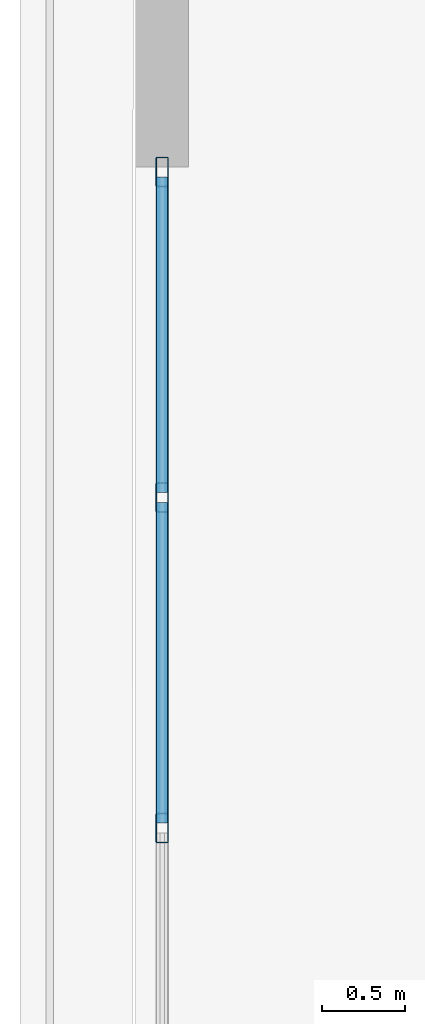
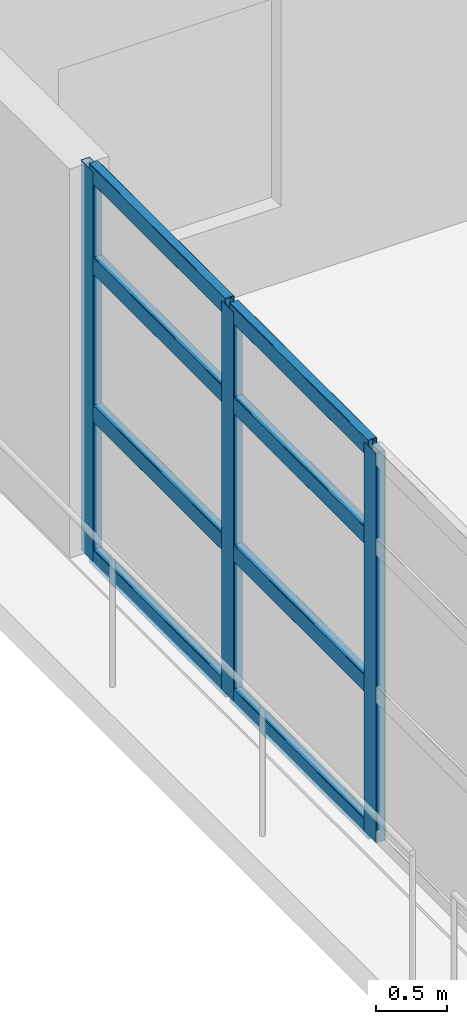
# One storey, part 6 of 23: 11 members, 1 element without a shape of its own.
"""IFC4 building model written with IfcOpenShell, lengths in metres."""

from ifc_helpers import new_model, si_unit, direction, frame, origin, origin_2d, place, context, subcontext, project, spatial, hollow_rectangle, extrude, material, layer, layer_set, material_profile, profile_set, type_object, element, aggregate, save


model = new_model("IFC4")

# Units and contexts
model_context = context("Model", 3, precision=1e-05, world=origin(), true_north=direction((0.0, 1.0)))
body_context = subcontext(model_context, "Body", "Model", "MODEL_VIEW")
ifc_project = project(units=[si_unit("LENGTHUNIT", "METRE"), si_unit("AREAUNIT", "SQUARE_METRE"), si_unit("VOLUMEUNIT", "CUBIC_METRE"), si_unit("PLANEANGLEUNIT", "RADIAN"), si_unit("MASSUNIT", "GRAM", prefix="KILO")], contexts=[model_context])

# Site, building, storey
site_placement = place(None, origin())
site = spatial("IfcSite", under=ifc_project, at=site_placement, CompositionType="ELEMENT")
building_placement = place(site_placement, origin())
building = spatial("IfcBuilding", under=site, at=building_placement, Name="Qingluan Cross Belvedere", CompositionType="ELEMENT")
storey_placement = place(building_placement, frame((0.0, 0.0, 10.199951171875)))
storey = spatial("IfcBuildingStorey", under=building, at=storey_placement, Name="L03", CompositionType="ELEMENT", Elevation=10.199951171875)

# Curtain wall, members
ifc_material_1 = material(Name="Thermally broken aluminium and Low-E glass", Category="aluminium")
ifc_layer = layer(ifc_material_1, 0.219970703125, Name="UnitisedCW_BallroomFoyer")
ifc_layer_set = layer_set([ifc_layer], Name="Thermally broken aluminium and Low-E glass")
curtain_wall_type = type_object("IfcCurtainWallType", Name="UnitisedCW_BallroomFoyer", PredefinedType="USERDEFINED", material=ifc_layer_set)
curtain_wall_placement = place(storey_placement, origin())
curtain_wall = element("IfcCurtainWall", 1, at=curtain_wall_placement, inside=storey, type_object=curtain_wall_type, Name="UnitisedCW_BallroomFoyer run env:cw:L03:W", ObjectType="UNITISED CURTAIN WALL", PredefinedType="USERDEFINED")
ifc_material_2 = material(Name="Aluminium alloy 6063-T6", Category="aluminium")
ifc_material_profile_1 = material_profile(ifc_material_2, hollow_rectangle(XDim=0.074951171875, YDim=0.179931640625, WallThickness=0.00390625, InnerFilletRadius=0.00390625, OuterFilletRadius=0.008056640625, at=origin_2d()), Name="CWM180x75x4")
ifc_profile_set_1 = profile_set([ifc_material_profile_1], Name="Aluminium alloy 6063-T6")
member_type_1 = type_object("IfcMemberType", Name="CWMullion_180", PredefinedType="MULLION", material=ifc_profile_set_1)
member_1_placement = place(storey_placement, frame((-37.639892578125, 2.0, 0.0), z_axis=(0.0, 0.0, 1.0), x_axis=(-1.0, 0.0, 0.0)))
member_1 = element("IfcMember", 2, at=member_1_placement, type_object=member_type_1, Name="CW-P2 mullion 5", PredefinedType="MULLION", context=body_context, shape_type="SweptSolid", body=[
    extrude(hollow_rectangle(XDim=0.074951171875, YDim=0.179931640625, WallThickness=0.00390625, InnerFilletRadius=0.00390625, OuterFilletRadius=0.008056640625, at=origin_2d()), origin(), (0.0, 0.0, 1.0), 3.330078125),
])
member_2_placement = place(storey_placement, frame((-37.639892578125, 4.0, 0.0), z_axis=(0.0, 0.0, 1.0), x_axis=(-1.0, 0.0, 0.0)))
member_2 = element("IfcMember", 3, at=member_2_placement, type_object=member_type_1, Name="CW-P2 mullion 6", PredefinedType="MULLION", context=body_context, shape_type="SweptSolid", body=[
    extrude(hollow_rectangle(XDim=0.074951171875, YDim=0.179931640625, WallThickness=0.00390625, InnerFilletRadius=0.00390625, OuterFilletRadius=0.008056640625, at=origin_2d()), origin(), (0.0, 0.0, 1.0), 3.330078125),
])
member_3_placement = place(storey_placement, frame((-37.639892578125, 5.969970703125, 0.0), z_axis=(0.0, 0.0, 1.0), x_axis=(-1.0, 0.0, 0.0)))
member_3 = element("IfcMember", 4, at=member_3_placement, type_object=member_type_1, Name="CW-P2 mullion 7", PredefinedType="MULLION", context=body_context, shape_type="SweptSolid", body=[
    extrude(hollow_rectangle(XDim=0.074951171875, YDim=0.179931640625, WallThickness=0.00390625, InnerFilletRadius=0.00390625, OuterFilletRadius=0.008056640625, at=origin_2d()), origin(), (0.0, 0.0, 1.0), 3.330078125),
])
ifc_material_3 = material(Name="Aluminium alloy 6063-T6", Category="aluminium")
ifc_material_profile_2 = material_profile(ifc_material_3, hollow_rectangle(XDim=0.074951171875, YDim=0.14990234375, WallThickness=0.00390625, InnerFilletRadius=0.00390625, OuterFilletRadius=0.008056640625, at=origin_2d()), Name="CWT150x75x4")
ifc_profile_set_2 = profile_set([ifc_material_profile_2], Name="Aluminium alloy 6063-T6")
member_type_2 = type_object("IfcMemberType", Name="CWTransom_150", PredefinedType="USERDEFINED", material=ifc_profile_set_2)
member_4_placement = place(storey_placement, frame((-37.639892578125, 2.030029296875, 0.030029296875), z_axis=(0.0, 1.0, 0.0), x_axis=(-1.0, 0.0, 0.0)))
member_4 = element("IfcMember", 5, at=member_4_placement, type_object=member_type_2, Name="CW-P2 transom 5.1", ObjectType="TRANSOM", PredefinedType="USERDEFINED", context=body_context, shape_type="SweptSolid", body=[
    extrude(hollow_rectangle(XDim=0.074951171875, YDim=0.14990234375, WallThickness=0.00390625, InnerFilletRadius=0.00390625, OuterFilletRadius=0.008056640625, at=origin_2d()), origin(), (0.0, 0.0, 1.0), 1.93994140625),
])
member_5_placement = place(storey_placement, frame((-37.639892578125, 2.030029296875, 1.26513671875), z_axis=(0.0, 1.0, 0.0), x_axis=(-1.0, 0.0, 0.0)))
member_5 = element("IfcMember", 6, at=member_5_placement, type_object=member_type_2, Name="CW-P2 transom 5.2", ObjectType="TRANSOM", PredefinedType="USERDEFINED", context=body_context, shape_type="SweptSolid", body=[
    extrude(hollow_rectangle(XDim=0.074951171875, YDim=0.14990234375, WallThickness=0.00390625, InnerFilletRadius=0.00390625, OuterFilletRadius=0.008056640625, at=origin_2d()), origin(), (0.0, 0.0, 1.0), 1.93994140625),
])
member_6_placement = place(storey_placement, frame((-37.639892578125, 2.030029296875, 2.531005859375), z_axis=(0.0, 1.0, 0.0), x_axis=(-1.0, 0.0, 0.0)))
member_6 = element("IfcMember", 7, at=member_6_placement, type_object=member_type_2, Name="CW-P2 transom 5.3", ObjectType="TRANSOM", PredefinedType="USERDEFINED", context=body_context, shape_type="SweptSolid", body=[
    extrude(hollow_rectangle(XDim=0.074951171875, YDim=0.14990234375, WallThickness=0.00390625, InnerFilletRadius=0.00390625, OuterFilletRadius=0.008056640625, at=origin_2d()), origin(), (0.0, 0.0, 1.0), 1.93994140625),
])
member_7_placement = place(storey_placement, frame((-37.639892578125, 2.030029296875, 3.300048828125), z_axis=(0.0, 1.0, 0.0), x_axis=(-1.0, 0.0, 0.0)))
member_7 = element("IfcMember", 8, at=member_7_placement, type_object=member_type_2, Name="CW-P2 transom 5.4", ObjectType="TRANSOM", PredefinedType="USERDEFINED", context=body_context, shape_type="SweptSolid", body=[
    extrude(hollow_rectangle(XDim=0.074951171875, YDim=0.14990234375, WallThickness=0.00390625, InnerFilletRadius=0.00390625, OuterFilletRadius=0.008056640625, at=origin_2d()), origin(), (0.0, 0.0, 1.0), 1.93994140625),
])
member_8_placement = place(storey_placement, frame((-37.639892578125, 4.030029296875, 0.030029296875), z_axis=(0.0, 1.0, 0.0), x_axis=(-1.0, 0.0, 0.0)))
member_8 = element("IfcMember", 9, at=member_8_placement, type_object=member_type_2, Name="CW-P2 transom 6.1", ObjectType="TRANSOM", PredefinedType="USERDEFINED", context=body_context, shape_type="SweptSolid", body=[
    extrude(hollow_rectangle(XDim=0.074951171875, YDim=0.14990234375, WallThickness=0.00390625, InnerFilletRadius=0.00390625, OuterFilletRadius=0.008056640625, at=origin_2d()), origin(), (0.0, 0.0, 1.0), 1.909912109375),
])
member_9_placement = place(storey_placement, frame((-37.639892578125, 4.030029296875, 1.26513671875), z_axis=(0.0, 1.0, 0.0), x_axis=(-1.0, 0.0, 0.0)))
member_9 = element("IfcMember", 10, at=member_9_placement, type_object=member_type_2, Name="CW-P2 transom 6.2", ObjectType="TRANSOM", PredefinedType="USERDEFINED", context=body_context, shape_type="SweptSolid", body=[
    extrude(hollow_rectangle(XDim=0.074951171875, YDim=0.14990234375, WallThickness=0.00390625, InnerFilletRadius=0.00390625, OuterFilletRadius=0.008056640625, at=origin_2d()), origin(), (0.0, 0.0, 1.0), 1.909912109375),
])
member_10_placement = place(storey_placement, frame((-37.639892578125, 4.030029296875, 2.531005859375), z_axis=(0.0, 1.0, 0.0), x_axis=(-1.0, 0.0, 0.0)))
member_10 = element("IfcMember", 11, at=member_10_placement, type_object=member_type_2, Name="CW-P2 transom 6.3", ObjectType="TRANSOM", PredefinedType="USERDEFINED", context=body_context, shape_type="SweptSolid", body=[
    extrude(hollow_rectangle(XDim=0.074951171875, YDim=0.14990234375, WallThickness=0.00390625, InnerFilletRadius=0.00390625, OuterFilletRadius=0.008056640625, at=origin_2d()), origin(), (0.0, 0.0, 1.0), 1.909912109375),
])
member_11_placement = place(storey_placement, frame((-37.639892578125, 4.030029296875, 3.300048828125), z_axis=(0.0, 1.0, 0.0), x_axis=(-1.0, 0.0, 0.0)))
member_11 = element("IfcMember", 12, at=member_11_placement, type_object=member_type_2, Name="CW-P2 transom 6.4", ObjectType="TRANSOM", PredefinedType="USERDEFINED", context=body_context, shape_type="SweptSolid", body=[
    extrude(hollow_rectangle(XDim=0.074951171875, YDim=0.14990234375, WallThickness=0.00390625, InnerFilletRadius=0.00390625, OuterFilletRadius=0.008056640625, at=origin_2d()), origin(), (0.0, 0.0, 1.0), 1.909912109375),
])
aggregate(curtain_wall, [member_1, member_2, member_3, member_4, member_5, member_6, member_7, member_8, member_9, member_10, member_11])

save(model, "model.ifc")
